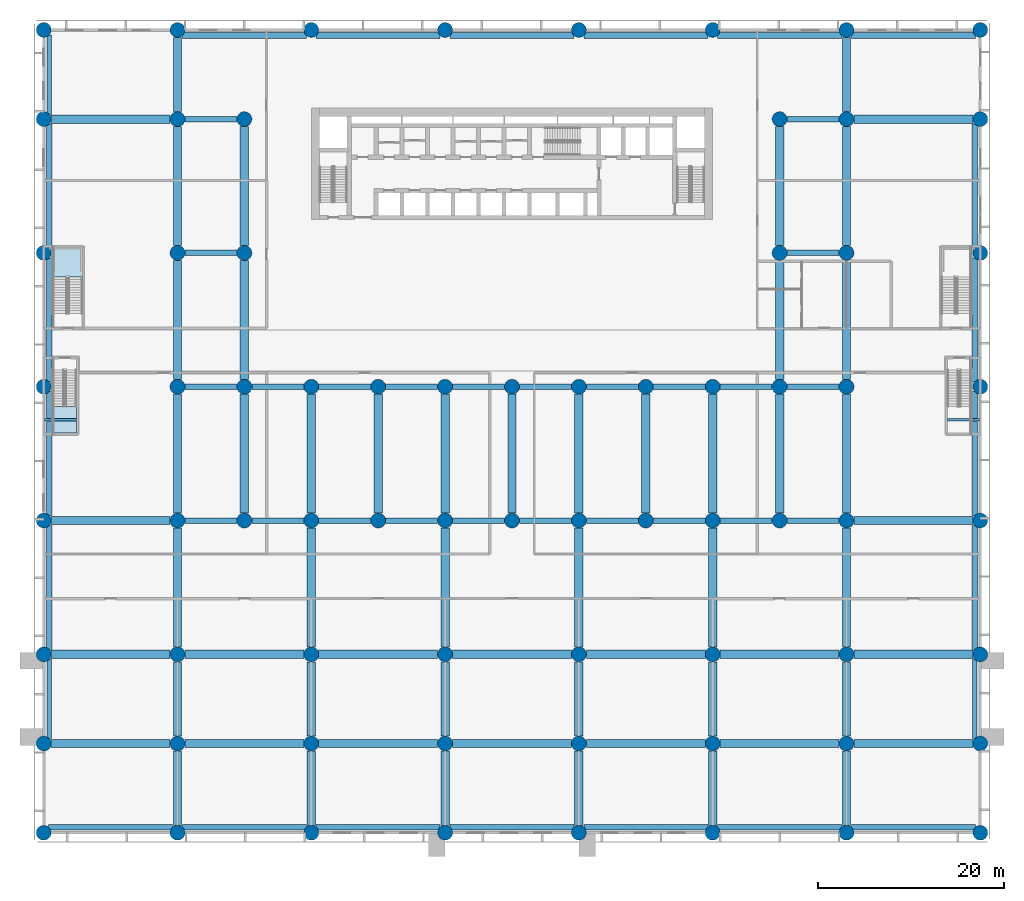
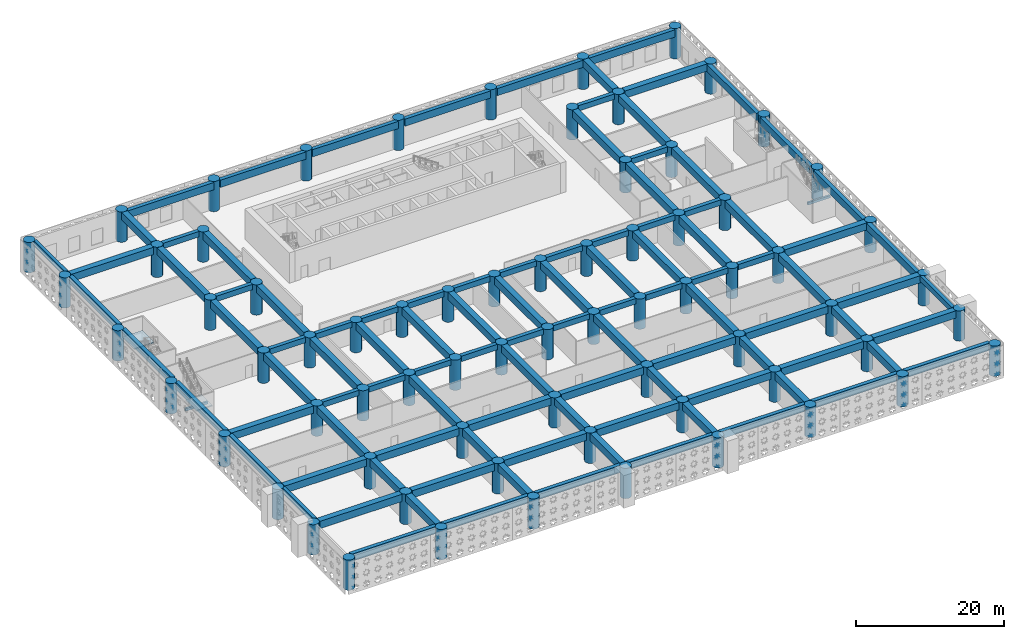
# One storey, part 1 of 30: 107 beams, 70 columns, 2 slabs, 2 elements without a shape of their own.
"""IFC4 building model written with IfcOpenShell, lengths in metres."""

import ifcopenshell
import ifcopenshell.guid

model = None  # the IFC model being written
_history = None  # IfcOwnerHistory: only IFC2X3 demands one
_inside = {}  # id of a spatial element -> (the spatial element, [elements in it])
_under = {}  # id of a project, library or spatial element -> (it, [spatial elements below it])
_declared = {}  # id of a project -> (the project, [libraries it declares])
_typed = {}  # id of a type object -> (the type object, [elements of that type])
_made_of = {}  # id of a material, layer set ... -> (it, [elements and type objects made of it])


def new_model(schema):
    """Start an empty IFC model of exactly this schema.

    Asked for "IFC4X3", IfcOpenShell would pick the latest addendum, in which some entities
    have other attributes; the version numbers below select the first issue.
    IFC2X3 requires an IfcOwnerHistory on every rooted entity: one is made here for all.
    """
    global model, _history
    if schema == "IFC4X3":
        model = ifcopenshell.file(schema_version=(4, 3, 0, 0))
    else:
        model = ifcopenshell.file(schema=schema)
    _inside.clear()
    _under.clear()
    _declared.clear()
    _typed.clear()
    _made_of.clear()
    _history = None
    if model.schema == "IFC2X3":
        org = make("IfcOrganization", Name="unknown")
        user = make(
            "IfcPersonAndOrganization",
            ThePerson=make("IfcPerson", FamilyName="unknown"),
            TheOrganization=org,
        )
        app = make(
            "IfcApplication",
            ApplicationDeveloper=org,
            Version="unknown",
            ApplicationFullName="unknown",
            ApplicationIdentifier="unknown",
        )
        _history = make(
            "IfcOwnerHistory",
            OwningUser=user,
            OwningApplication=app,
            ChangeAction="ADDED",
            CreationDate=0,
        )
    return model


def make(cls, **values):
    """One entity of the class cls with the attributes given. An attribute that is None is left unset."""
    return model.create_entity(
        cls, **{name: value for name, value in values.items() if value is not None}
    )


def rooted(cls, **values):
    """An entity with a GlobalId (a new one), such as an element, a storey or a relation."""
    return make(cls, GlobalId=ifcopenshell.guid.new(), OwnerHistory=_history, **values)


def si_unit(unit_type, name, prefix=None):
    """IfcSIUnit, for example si_unit("LENGTHUNIT", "METRE", prefix="MILLI")."""
    return make("IfcSIUnit", UnitType=unit_type, Prefix=prefix, Name=name)


def assignment(units):
    """IfcUnitAssignment: the units of a project."""
    return None if units is None else make("IfcUnitAssignment", Units=units)


def point(xyz):
    """IfcCartesianPoint."""
    return None if xyz is None else make("IfcCartesianPoint", Coordinates=xyz)


def direction(xyz):
    """IfcDirection."""
    return None if xyz is None else make("IfcDirection", DirectionRatios=xyz)


def frame(location, z_axis=None, x_axis=None):
    """IfcAxis2Placement3D, a coordinate frame: its origin and axes. An axis left out is left unset."""
    return make(
        "IfcAxis2Placement3D",
        Location=point(location),
        Axis=direction(z_axis),
        RefDirection=direction(x_axis),
    )


def frame_2d(location, x_axis=None):
    """IfcAxis2Placement2D, a coordinate frame in the plane: its origin and x axis."""
    return make(
        "IfcAxis2Placement2D", Location=point(location), RefDirection=direction(x_axis)
    )


def origin():
    """The frame at (0, 0, 0) with its axes left unset."""
    return frame((0.0, 0.0, 0.0))


def origin_2d():
    """The frame at (0, 0) in the plane with its x axis left unset."""
    return frame_2d((0.0, 0.0))


def place(relative_to, where):
    """IfcLocalPlacement: puts the frame where relative to a parent placement (None: the world)."""
    return make(
        "IfcLocalPlacement", PlacementRelTo=relative_to, RelativePlacement=where
    )


def context(
    kind, dimensions, precision=None, world=None, true_north=None, identifier=None
):
    """IfcGeometricRepresentationContext, for example the 3D "Model" context."""
    return make(
        "IfcGeometricRepresentationContext",
        ContextIdentifier=identifier,
        ContextType=kind,
        CoordinateSpaceDimension=dimensions,
        Precision=precision,
        WorldCoordinateSystem=world,
        TrueNorth=true_north,
    )


def subcontext(parent, identifier, kind, view, scale=None):
    """IfcGeometricRepresentationSubContext, for example "Body" below "Model"."""
    return make(
        "IfcGeometricRepresentationSubContext",
        ContextIdentifier=identifier,
        ContextType=kind,
        ParentContext=parent,
        TargetScale=scale,
        TargetView=view,
    )


def project(units=None, contexts=None):
    """IfcProject with its units and contexts."""
    return rooted(
        "IfcProject",
        Name="project",
        RepresentationContexts=contexts,
        UnitsInContext=assignment(units),
    )


def spatial(cls, under=None, at=None, **own):
    """A site, building, storey or space (cls), placed at a placement, below another one or the project."""
    s = rooted(cls, ObjectPlacement=at, **own)
    if under is not None:
        _under.setdefault(under.id(), (under, []))[1].append(s)
    return s


def polyline(points):
    """IfcPolyline through the points."""
    return make("IfcPolyline", Points=[point(p) for p in points])


def profile(cls, at=None, kind="AREA", **sizes):
    """A parametric profile (cls). Its sizes go by their IFC names, for example OverallWidth=200.0."""
    return make(cls, ProfileType=kind, Position=at, **sizes)


def rectangle(**sizes):
    """IfcRectangleProfileDef."""
    return profile("IfcRectangleProfileDef", **sizes)


def circle(**sizes):
    """IfcCircleProfileDef."""
    return profile("IfcCircleProfileDef", **sizes)


def outline(outer, holes=None, kind="AREA"):
    """IfcArbitraryClosedProfileDef: a profile drawn as a closed curve; with holes, ...WithVoids."""
    if holes is None:
        return make("IfcArbitraryClosedProfileDef", ProfileType=kind, OuterCurve=outer)
    return make(
        "IfcArbitraryProfileDefWithVoids",
        ProfileType=kind,
        OuterCurve=outer,
        InnerCurves=holes,
    )


def extrude(swept, where, along, depth):
    """IfcExtrudedAreaSolid: the profile swept, set in the frame where, extruded along a direction by depth."""
    return make(
        "IfcExtrudedAreaSolid",
        SweptArea=swept,
        Position=where,
        ExtrudedDirection=direction(along),
        Depth=depth,
    )


def shape(context_of_items, identifier, shape_type, items):
    """IfcShapeRepresentation: the items that make up one representation, for example the "Body"."""
    return make(
        "IfcShapeRepresentation",
        ContextOfItems=context_of_items,
        RepresentationIdentifier=identifier,
        RepresentationType=shape_type,
        Items=items,
    )


def source(mapping_origin, context_of_items, identifier, shape_type, items):
    """IfcRepresentationMap: a shape defined once, which mapped items show again and again."""
    return make(
        "IfcRepresentationMap",
        MappingOrigin=mapping_origin,
        MappedRepresentation=shape(context_of_items, identifier, shape_type, items),
    )


def transform(
    local_origin,
    x_axis=None,
    y_axis=None,
    z_axis=None,
    scale=None,
    scale2=None,
    scale3=None,
    uniform=True,
):
    """IfcCartesianTransformationOperator3D, or its non-uniform kind. x_axis, y_axis, z_axis: its Axis1, 2, 3."""
    if uniform:
        return make(
            "IfcCartesianTransformationOperator3D",
            Axis1=direction(x_axis),
            Axis2=direction(y_axis),
            LocalOrigin=point(local_origin),
            Scale=scale,
            Axis3=direction(z_axis),
        )
    return make(
        "IfcCartesianTransformationOperator3DnonUniform",
        Axis1=direction(x_axis),
        Axis2=direction(y_axis),
        LocalOrigin=point(local_origin),
        Scale=scale,
        Axis3=direction(z_axis),
        Scale2=scale2,
        Scale3=scale3,
    )


def mapped(mapping_source, mapping_target):
    """IfcMappedItem: shows the shape of a source again, moved by a transform."""
    return make(
        "IfcMappedItem", MappingSource=mapping_source, MappingTarget=mapping_target
    )


def material(Name=None, Category=None):
    """IfcMaterial."""
    return make("IfcMaterial", Name=Name, Category=Category)


def layer(
    of_material, thickness, ventilated=None, Name=None, Category=None, Priority=None
):
    """IfcMaterialLayer: one layer of a wall or slab, of a material (None: an air gap)."""
    return make(
        "IfcMaterialLayer",
        Material=of_material,
        LayerThickness=thickness,
        IsVentilated=ventilated,
        Name=Name,
        Category=Category,
        Priority=Priority,
    )


def layer_set(layers, Name=None):
    """IfcMaterialLayerSet."""
    return make("IfcMaterialLayerSet", MaterialLayers=layers, LayerSetName=Name)


def material_profile(
    of_material, cross_section, Name=None, Category=None, Priority=None
):
    """IfcMaterialProfile: a cross section and its material."""
    return make(
        "IfcMaterialProfile",
        Name=Name,
        Material=of_material,
        Profile=cross_section,
        Priority=Priority,
        Category=Category,
    )


def profile_set(profiles, Name=None, composite=None):
    """IfcMaterialProfileSet."""
    return make(
        "IfcMaterialProfileSet",
        Name=Name,
        MaterialProfiles=profiles,
        CompositeProfile=composite,
    )


def made_of(thing, what):
    """Note that an element or type object is made of a material, layer set ...; save() writes the relation."""
    if what is not None:
        _made_of.setdefault(what.id(), (what, []))[1].append(thing)
    return thing


def type_object(cls, material=None, **own):
    """A type object (cls), such as IfcWallType, which elements share."""
    return made_of(rooted(cls, **own), material)


def element(
    cls,
    number,
    at=None,
    inside=None,
    cuts=None,
    type_object=None,
    material=None,
    context=None,
    identifier="Body",
    shape_type=None,
    held_by="IfcProductDefinitionShape",
    body=None,
    shapes=None,
    **own,
):
    """One element of the class cls, such as IfcWall. Its Tag is "e" and its number.

    at: its placement. inside: the storey or other place that contains it. cuts: it is an
    opening in that element (IfcRelVoidsElement). A single representation is given by context,
    identifier, shape_type and body (its items); several are given by shapes. held_by: the class
    of the entity that holds the representations. save() writes the other relations.
    """
    e = rooted(cls, Tag="e%d" % number, ObjectPlacement=at, **own)
    if body is not None:
        shapes = [shape(context, identifier, shape_type, body)]
    if shapes is not None:
        e.Representation = make(held_by, Representations=shapes)
    if inside is not None:
        _inside.setdefault(inside.id(), (inside, []))[1].append(e)
    if cuts is not None:
        rooted(
            "IfcRelVoidsElement", RelatingBuildingElement=cuts, RelatedOpeningElement=e
        )
    if type_object is not None:
        _typed.setdefault(type_object.id(), (type_object, []))[1].append(e)
    return made_of(e, material)


def aggregate(whole, parts):
    """IfcRelAggregates: a whole, such as a stair, and the parts it consists of."""
    return rooted("IfcRelAggregates", RelatingObject=whole, RelatedObjects=parts)


def save(model, path):
    """Write the relations noted so far, then the file.

    IfcRelAggregates (storeys below a building ...), IfcRelContainedInSpatialStructure (elements
    in a storey), IfcRelDefinesByType, IfcRelAssociatesMaterial and IfcRelDeclares: one each for
    every whole, place, type object, material and project.
    """
    for whole, parts in _under.values():
        aggregate(whole, parts)
    for where, things in _inside.values():
        rooted(
            "IfcRelContainedInSpatialStructure",
            RelatedElements=things,
            RelatingStructure=where,
        )
    for kind, things in _typed.values():
        rooted("IfcRelDefinesByType", RelatedObjects=things, RelatingType=kind)
    for what, things in _made_of.values():
        rooted("IfcRelAssociatesMaterial", RelatedObjects=things, RelatingMaterial=what)
    for by, libraries in _declared.values():
        rooted("IfcRelDeclares", RelatingContext=by, RelatedDefinitions=libraries)
    model.write(path)


model = new_model("IFC4")

# Units and contexts
model_context = context("Model", 3, precision=1e-05, world=origin(), true_north=direction((0.0, 1.0)))
body_context = subcontext(model_context, "Body", "Model", "MODEL_VIEW")
ifc_project = project(units=[si_unit("LENGTHUNIT", "METRE"), si_unit("AREAUNIT", "SQUARE_METRE"), si_unit("VOLUMEUNIT", "CUBIC_METRE"), si_unit("PLANEANGLEUNIT", "RADIAN"), si_unit("MASSUNIT", "GRAM", prefix="KILO")], contexts=[model_context])

# Site, building, storey
site_placement = place(None, origin())
site = spatial("IfcSite", under=ifc_project, at=site_placement, CompositionType="ELEMENT")
building_placement = place(site_placement, origin())
building = spatial("IfcBuilding", under=site, at=building_placement, Name="Saffron Iwan Residences", CompositionType="ELEMENT")
storey_placement = place(building_placement, frame((0.0, 0.0, 7.800048828125)))
storey = spatial("IfcBuildingStorey", under=building, at=storey_placement, Name="L01", CompositionType="ELEMENT", Elevation=7.800048828125)

# Columns
ifc_material_1 = material(Name="Concrete C50/60", Category="concrete")
ifc_material_profile_1 = material_profile(ifc_material_1, circle(Radius=0.800048828125, at=origin_2d()), Name="RC D1600")
ifc_profile_set_1 = profile_set([ifc_material_profile_1], Name="Concrete C50/60")
column_type = type_object("IfcColumnType", Name="COL RC D1600 C50/60 5000 HIGH", PredefinedType="COLUMN", material=ifc_profile_set_1)
shared_shape_1 = source(origin(), body_context, "Body", "SweptSolid", [
    extrude(circle(Radius=0.800048828125, at=origin_2d()), origin(), (0.0, 0.0, 1.0), 5.0),
])
for number, where, z_axis, x_axis, name in (
    (1, (0.0, 0.0, 0.0), (0.0, 0.0, 1.0), (1.0, 0.0, 0.0), "Column C001"),
    (2, (14.39990234375, 0.0, 0.0), (0.0, 0.0, 1.0), (1.0, 0.0, 0.0), "Column C002"),
    (3, (28.800048828125, 0.0, 0.0), (0.0, 0.0, 1.0), (1.0, 0.0, 0.0), "Column C003"),
    (4, (43.199951171875, 0.0, 0.0), (0.0, 0.0, 1.0), (1.0, 0.0, 0.0), "Column C004"),
    (5, (57.60009765625, 0.0, 0.0), (0.0, 0.0, 1.0), (1.0, 0.0, 0.0), "Column C005"),
    (6, (72.0, 0.0, 0.0), (0.0, 0.0, 1.0), (1.0, 0.0, 0.0), "Column C006"),
    (7, (86.39990234375, 0.0, 0.0), (0.0, 0.0, 1.0), (1.0, 0.0, 0.0), "Column C007"),
    (8, (100.800048828125, 0.0, 0.0), (0.0, 0.0, 1.0), (1.0, 0.0, 0.0), "Column C008"),
    (9, (0.0, 9.60009765625, 0.0), (0.0, 0.0, 1.0), (1.0, 0.0, 0.0), "Column C009"),
    (10, (14.39990234375, 9.60009765625, 0.0), (0.0, 0.0, 1.0), (1.0, 0.0, 0.0), "Column C010"),
    (11, (28.800048828125, 9.60009765625, 0.0), (0.0, 0.0, 1.0), (1.0, 0.0, 0.0), "Column C011"),
    (12, (43.199951171875, 9.60009765625, 0.0), (0.0, 0.0, 1.0), (1.0, 0.0, 0.0), "Column C012"),
    (13, (57.60009765625, 9.60009765625, 0.0), (0.0, 0.0, 1.0), (1.0, 0.0, 0.0), "Column C013"),
    (14, (72.0, 9.60009765625, 0.0), (0.0, 0.0, 1.0), (1.0, 0.0, 0.0), "Column C014"),
    (15, (86.39990234375, 9.60009765625, 0.0), (0.0, 0.0, 1.0), (1.0, 0.0, 0.0), "Column C015"),
    (16, (100.800048828125, 9.60009765625, 0.0), (0.0, 0.0, 1.0), (1.0, 0.0, 0.0), "Column C016"),
    (17, (0.0, 19.199951171875, 0.0), (0.0, 0.0, 1.0), (1.0, 0.0, 0.0), "Column C017"),
    (18, (14.39990234375, 19.199951171875, 0.0), (0.0, 0.0, 1.0), (1.0, 0.0, 0.0), "Column C018"),
    (19, (28.800048828125, 19.199951171875, 0.0), (0.0, 0.0, 1.0), (1.0, 0.0, 0.0), "Column C019"),
    (20, (43.199951171875, 19.199951171875, 0.0), (0.0, 0.0, 1.0), (1.0, 0.0, 0.0), "Column C020"),
    (21, (57.60009765625, 19.199951171875, 0.0), (0.0, 0.0, 1.0), (1.0, 0.0, 0.0), "Column C021"),
    (22, (72.0, 19.199951171875, 0.0), (0.0, 0.0, 1.0), (1.0, 0.0, 0.0), "Column C022"),
    (23, (86.39990234375, 19.199951171875, 0.0), (0.0, 0.0, 1.0), (1.0, 0.0, 0.0), "Column C023"),
    (24, (100.800048828125, 19.199951171875, 0.0), (0.0, 0.0, 1.0), (1.0, 0.0, 0.0), "Column C024"),
    (25, (0.0, 33.60009765625, 0.0), (0.0, 0.0, 1.0), (1.0, 0.0, 0.0), "Column C025"),
    (26, (14.39990234375, 33.60009765625, 0.0), (0.0, 0.0, 1.0), (1.0, 0.0, 0.0), "Column C026"),
    (27, (21.60009765625, 33.60009765625, 0.0), (0.0, 0.0, 1.0), (1.0, 0.0, 0.0), "Column C027"),
    (28, (28.800048828125, 33.60009765625, 0.0), (0.0, 0.0, 1.0), (1.0, 0.0, 0.0), "Column C028"),
    (29, (36.0, 33.60009765625, 0.0), (0.0, 0.0, 1.0), (1.0, 0.0, 0.0), "Column C029"),
    (30, (43.199951171875, 33.60009765625, 0.0), (0.0, 0.0, 1.0), (1.0, 0.0, 0.0), "Column C030"),
    (31, (50.39990234375, 33.60009765625, 0.0), (0.0, 0.0, 1.0), (1.0, 0.0, 0.0), "Column C031"),
    (32, (57.60009765625, 33.60009765625, 0.0), (0.0, 0.0, 1.0), (1.0, 0.0, 0.0), "Column C032"),
    (33, (64.800048828125, 33.60009765625, 0.0), (0.0, 0.0, 1.0), (1.0, 0.0, 0.0), "Column C033"),
    (34, (72.0, 33.60009765625, 0.0), (0.0, 0.0, 1.0), (1.0, 0.0, 0.0), "Column C034"),
    (35, (79.199951171875, 33.60009765625, 0.0), (0.0, 0.0, 1.0), (1.0, 0.0, 0.0), "Column C035"),
    (36, (86.39990234375, 33.60009765625, 0.0), (0.0, 0.0, 1.0), (1.0, 0.0, 0.0), "Column C036"),
    (37, (100.800048828125, 33.60009765625, 0.0), (0.0, 0.0, 1.0), (1.0, 0.0, 0.0), "Column C037"),
    (38, (0.0, 48.0, 0.0), (0.0, 0.0, 1.0), (1.0, 0.0, 0.0), "Column C059"),
    (39, (14.39990234375, 48.0, 0.0), (0.0, 0.0, 1.0), (1.0, 0.0, 0.0), "Column C060"),
    (40, (21.60009765625, 48.0, 0.0), (0.0, 0.0, 1.0), (1.0, 0.0, 0.0), "Column C063"),
    (41, (28.800048828125, 48.0, 0.0), (0.0, 0.0, 1.0), (1.0, 0.0, 0.0), "Column C064"),
    (42, (36.0, 48.0, 0.0), (0.0, 0.0, 1.0), (1.0, 0.0, 0.0), "Column C065"),
    (43, (43.199951171875, 48.0, 0.0), (0.0, 0.0, 1.0), (1.0, 0.0, 0.0), "Column C066"),
    (44, (50.39990234375, 48.0, 0.0), (0.0, 0.0, 1.0), (1.0, 0.0, 0.0), "Column C067"),
    (45, (57.60009765625, 48.0, 0.0), (0.0, 0.0, 1.0), (1.0, 0.0, 0.0), "Column C068"),
    (46, (64.800048828125, 48.0, 0.0), (0.0, 0.0, 1.0), (1.0, 0.0, 0.0), "Column C069"),
    (47, (72.0, 48.0, 0.0), (0.0, 0.0, 1.0), (1.0, 0.0, 0.0), "Column C071"),
    (48, (79.199951171875, 48.0, 0.0), (0.0, 0.0, 1.0), (1.0, 0.0, 0.0), "Column C072"),
    (49, (86.39990234375, 48.0, 0.0), (0.0, 0.0, 1.0), (1.0, 0.0, 0.0), "Column C075"),
    (50, (100.800048828125, 48.0, 0.0), (0.0, 0.0, 1.0), (1.0, 0.0, 0.0), "Column C076"),
    (51, (0.0, 62.39990234375, 0.0), (0.0, 0.0, 1.0), (1.0, 0.0, 0.0), "Column C087"),
    (52, (14.39990234375, 62.39990234375, 0.0), (0.0, 0.0, 1.0), (1.0, 0.0, 0.0), "Column C088"),
    (53, (21.60009765625, 62.39990234375, 0.0), (0.0, 0.0, 1.0), (1.0, 0.0, 0.0), "Column C091"),
    (54, (79.199951171875, 62.39990234375, 0.0), (0.0, 0.0, 1.0), (1.0, 0.0, 0.0), "Column C092"),
    (55, (86.39990234375, 62.39990234375, 0.0), (0.0, 0.0, 1.0), (1.0, 0.0, 0.0), "Column C095"),
    (56, (100.800048828125, 62.39990234375, 0.0), (0.0, 0.0, 1.0), (1.0, 0.0, 0.0), "Column C096"),
    (57, (0.0, 76.800048828125, 0.0), (0.0, 0.0, 1.0), (1.0, 0.0, 0.0), "Column C103"),
    (58, (14.39990234375, 76.800048828125, 0.0), (0.0, 0.0, 1.0), (1.0, 0.0, 0.0), "Column C104"),
    (59, (21.60009765625, 76.800048828125, 0.0), (0.0, 0.0, 1.0), (1.0, 0.0, 0.0), "Column C107"),
    (60, (79.199951171875, 76.800048828125, 0.0), (0.0, 0.0, 1.0), (1.0, 0.0, 0.0), "Column C108"),
    (61, (86.39990234375, 76.800048828125, 0.0), (0.0, 0.0, 1.0), (1.0, 0.0, 0.0), "Column C111"),
    (62, (100.800048828125, 76.800048828125, 0.0), (0.0, 0.0, 1.0), (1.0, 0.0, 0.0), "Column C112"),
    (63, (0.0, 86.39990234375, 0.0), (0.0, 0.0, 1.0), (1.0, 0.0, 0.0), "Column C124"),
    (64, (14.39990234375, 86.39990234375, 0.0), (0.0, 0.0, 1.0), (1.0, 0.0, 0.0), "Column C125"),
    (65, (28.800048828125, 86.39990234375, 0.0), (0.0, 0.0, 1.0), (1.0, 0.0, 0.0), "Column C126"),
    (66, (43.199951171875, 86.39990234375, 0.0), (0.0, 0.0, 1.0), (1.0, 0.0, 0.0), "Column C127"),
    (67, (57.60009765625, 86.39990234375, 0.0), (0.0, 0.0, 1.0), (1.0, 0.0, 0.0), "Column C128"),
    (68, (72.0, 86.39990234375, 0.0), (0.0, 0.0, 1.0), (1.0, 0.0, 0.0), "Column C129"),
    (69, (86.39990234375, 86.39990234375, 0.0), (0.0, 0.0, 1.0), (1.0, 0.0, 0.0), "Column C130"),
    (70, (100.800048828125, 86.39990234375, 0.0), (0.0, 0.0, 1.0), (1.0, 0.0, 0.0), "Column C131"),
):
    element("IfcColumn", number, at=place(storey_placement, frame(where, z_axis=z_axis, x_axis=x_axis)), inside=storey, type_object=column_type, Name=name, PredefinedType="COLUMN", context=body_context, shape_type="MappedRepresentation", body=[
        mapped(shared_shape_1, transform((0.0, 0.0, 0.0))),
    ])

# Beams
ifc_material_profile_2 = material_profile(ifc_material_1, rectangle(XDim=0.5, YDim=0.89990234375, at=origin_2d()), Name="RC 500x900")
ifc_profile_set_2 = profile_set([ifc_material_profile_2], Name="Concrete C50/60")
beam_type_1 = type_object("IfcBeamType", Name="SPANDREL BEAM RC 500x900 C50/60 TOP 5000", PredefinedType="SPANDREL", material=ifc_profile_set_2)
shared_shape_2 = source(origin(), body_context, "Body", "SweptSolid", [
    extrude(rectangle(XDim=0.5, YDim=0.89990234375, at=origin_2d()), origin(), (0.0, 0.0, 1.0), 8.55224609375),
])
for number, where, z_axis, x_axis, name in (
    (71, (0.60009765625, 10.123779296875, 4.550048828125), (0.0, 1.0, 0.0), (-1.0, 0.0, 0.0), "Spandrel beam"),
    (72, (100.199951171875, 18.676025390625, 4.550048828125), (0.0, -1.0, 0.0), (1.0, 0.0, 0.0), "Spandrel beam"),
    (73, (0.60009765625, 77.323974609375, 4.550048828125), (0.0, 1.0, 0.0), (-1.0, 0.0, 0.0), "Spandrel beam"),
):
    element("IfcBeam", number, at=place(storey_placement, frame(where, z_axis=z_axis, x_axis=x_axis)), inside=storey, type_object=beam_type_1, Name=name, PredefinedType="SPANDREL", context=body_context, shape_type="MappedRepresentation", body=[
        mapped(shared_shape_2, transform((0.0, 0.0, 0.0))),
    ])
ifc_material_profile_3 = material_profile(ifc_material_1, rectangle(XDim=0.60009765625, YDim=1.199951171875, at=origin_2d()), Name="RC 600x1200")
ifc_profile_set_3 = profile_set([ifc_material_profile_3], Name="Concrete C50/60")
beam_type_2 = type_object("IfcBeamType", Name="LINTEL BEAM RC 600x1200 C50/60 TOP 5000", PredefinedType="LINTEL", material=ifc_profile_set_3)
shared_shape_3 = source(origin(), body_context, "Body", "SweptSolid", [
    extrude(rectangle(XDim=0.60009765625, YDim=1.199951171875, at=origin_2d()), origin(), (0.0, 0.0, 1.0), 13.352294921875),
])
for number, where, z_axis, x_axis, name in (
    (74, (13.876220703125, 0.60009765625, 4.39990234375), (-1.0, 0.0, 0.0), (0.0, -1.0, 0.0), "Lintel beam over the iwan"),
    (75, (28.276123046875, 0.60009765625, 4.39990234375), (-1.0, 0.0, 0.0), (0.0, -1.0, 0.0), "Lintel beam over the iwan"),
    (76, (57.076171875, 0.60009765625, 4.39990234375), (-1.0, 0.0, 0.0), (0.0, -1.0, 0.0), "Lintel beam over the iwan"),
    (77, (71.47607421875, 0.60009765625, 4.39990234375), (-1.0, 0.0, 0.0), (0.0, -1.0, 0.0), "Lintel beam over the iwan"),
    (78, (85.876220703125, 0.60009765625, 4.39990234375), (-1.0, 0.0, 0.0), (0.0, -1.0, 0.0), "Lintel beam over the iwan"),
    (79, (100.276123046875, 0.60009765625, 4.39990234375), (-1.0, 0.0, 0.0), (0.0, -1.0, 0.0), "Lintel beam over the iwan"),
    (80, (0.60009765625, 19.723876953125, 4.39990234375), (0.0, 1.0, 0.0), (-1.0, 0.0, 0.0), "Lintel beam over the iwan"),
    (81, (100.199951171875, 33.076171875, 4.39990234375), (0.0, -1.0, 0.0), (1.0, 0.0, 0.0), "Lintel beam over the iwan"),
    (82, (0.60009765625, 34.123779296875, 4.39990234375), (0.0, 1.0, 0.0), (-1.0, 0.0, 0.0), "Lintel beam over the iwan"),
    (83, (100.199951171875, 47.47607421875, 4.39990234375), (0.0, -1.0, 0.0), (1.0, 0.0, 0.0), "Lintel beam over the iwan"),
    (84, (0.60009765625, 48.52392578125, 4.39990234375), (0.0, 1.0, 0.0), (-1.0, 0.0, 0.0), "Lintel beam over the iwan"),
    (85, (100.199951171875, 61.876220703125, 4.39990234375), (0.0, -1.0, 0.0), (1.0, 0.0, 0.0), "Lintel beam over the iwan"),
    (86, (0.60009765625, 62.923828125, 4.39990234375), (0.0, 1.0, 0.0), (-1.0, 0.0, 0.0), "Lintel beam over the iwan"),
    (87, (100.199951171875, 76.276123046875, 4.39990234375), (0.0, -1.0, 0.0), (1.0, 0.0, 0.0), "Lintel beam over the iwan"),
    (88, (14.923828125, 85.800048828125, 4.39990234375), (1.0, 0.0, 0.0), (0.0, 1.0, 0.0), "Lintel beam over the iwan"),
    (89, (43.723876953125, 85.800048828125, 4.39990234375), (1.0, 0.0, 0.0), (0.0, 1.0, 0.0), "Lintel beam over the iwan"),
    (90, (58.123779296875, 85.800048828125, 4.39990234375), (1.0, 0.0, 0.0), (0.0, 1.0, 0.0), "Lintel beam over the iwan"),
    (91, (72.52392578125, 85.800048828125, 4.39990234375), (1.0, 0.0, 0.0), (0.0, 1.0, 0.0), "Lintel beam over the iwan"),
    (92, (86.923828125, 85.800048828125, 4.39990234375), (1.0, 0.0, 0.0), (0.0, 1.0, 0.0), "Lintel beam over the iwan"),
):
    element("IfcBeam", number, at=place(storey_placement, frame(where, z_axis=z_axis, x_axis=x_axis)), inside=storey, type_object=beam_type_2, Name=name, PredefinedType="LINTEL", context=body_context, shape_type="MappedRepresentation", body=[
        mapped(shared_shape_3, transform((0.0, 0.0, 0.0))),
    ])
shared_shape_4 = source(origin(), body_context, "Body", "SweptSolid", [
    extrude(rectangle(XDim=0.60009765625, YDim=1.199951171875, at=origin_2d()), origin(), (0.0, 0.0, 1.0), 13.35205078125),
])
for number, where, z_axis, x_axis, name in (
    (93, (42.676025390625, 0.60009765625, 4.39990234375), (-1.0, 0.0, 0.0), (0.0, -1.0, 0.0), "Lintel beam over the iwan"),
    (94, (29.323974609375, 85.800048828125, 4.39990234375), (1.0, 0.0, 0.0), (0.0, 1.0, 0.0), "Lintel beam over the iwan"),
):
    element("IfcBeam", number, at=place(storey_placement, frame(where, z_axis=z_axis, x_axis=x_axis)), inside=storey, type_object=beam_type_2, Name=name, PredefinedType="LINTEL", context=body_context, shape_type="MappedRepresentation", body=[
        mapped(shared_shape_4, transform((0.0, 0.0, 0.0))),
    ])
ifc_material_profile_4 = material_profile(ifc_material_1, rectangle(XDim=0.89990234375, YDim=1.199951171875, at=origin_2d()), Name="RC 900x1200")
ifc_profile_set_4 = profile_set([ifc_material_profile_4], Name="Concrete C50/60")
beam_type_3 = type_object("IfcBeamType", Name="BEAM RC 900x1200 C50/60 TOP 5000", PredefinedType="BEAM", material=ifc_profile_set_4)
shared_shape_5 = source(origin(), body_context, "Body", "SweptSolid", [
    extrude(rectangle(XDim=0.89990234375, YDim=1.199951171875, at=origin_2d()), origin(), (0.0, 0.0, 1.0), 8.0),
])
for number, where, z_axis, x_axis, name in (
    (95, (14.39990234375, 0.800048828125, 4.39990234375), (0.0, 1.0, 0.0), (-1.0, 0.0, 0.0), "Floor beam"),
    (96, (28.800048828125, 0.800048828125, 4.39990234375), (0.0, 1.0, 0.0), (-1.0, 0.0, 0.0), "Floor beam"),
    (97, (43.199951171875, 0.800048828125, 4.39990234375), (0.0, 1.0, 0.0), (-1.0, 0.0, 0.0), "Floor beam"),
    (98, (57.60009765625, 0.800048828125, 4.39990234375), (0.0, 1.0, 0.0), (-1.0, 0.0, 0.0), "Floor beam"),
    (99, (72.0, 0.800048828125, 4.39990234375), (0.0, 1.0, 0.0), (-1.0, 0.0, 0.0), "Floor beam"),
    (100, (86.39990234375, 0.800048828125, 4.39990234375), (0.0, 1.0, 0.0), (-1.0, 0.0, 0.0), "Floor beam"),
    (101, (14.39990234375, 10.39990234375, 4.39990234375), (0.0, 1.0, 0.0), (-1.0, 0.0, 0.0), "Floor beam"),
    (102, (28.800048828125, 10.39990234375, 4.39990234375), (0.0, 1.0, 0.0), (-1.0, 0.0, 0.0), "Floor beam"),
    (103, (43.199951171875, 10.39990234375, 4.39990234375), (0.0, 1.0, 0.0), (-1.0, 0.0, 0.0), "Floor beam"),
    (104, (57.60009765625, 10.39990234375, 4.39990234375), (0.0, 1.0, 0.0), (-1.0, 0.0, 0.0), "Floor beam"),
    (105, (72.0, 10.39990234375, 4.39990234375), (0.0, 1.0, 0.0), (-1.0, 0.0, 0.0), "Floor beam"),
    (106, (86.39990234375, 10.39990234375, 4.39990234375), (0.0, 1.0, 0.0), (-1.0, 0.0, 0.0), "Floor beam"),
    (107, (14.39990234375, 77.60009765625, 4.39990234375), (0.0, 1.0, 0.0), (-1.0, 0.0, 0.0), "Floor beam"),
    (108, (86.39990234375, 77.60009765625, 4.39990234375), (0.0, 1.0, 0.0), (-1.0, 0.0, 0.0), "Floor beam"),
):
    element("IfcBeam", number, at=place(storey_placement, frame(where, z_axis=z_axis, x_axis=x_axis)), inside=storey, type_object=beam_type_3, Name=name, PredefinedType="BEAM", context=body_context, shape_type="MappedRepresentation", body=[
        mapped(shared_shape_5, transform((0.0, 0.0, 0.0))),
    ])
shared_shape_6 = source(origin(), body_context, "Body", "SweptSolid", [
    extrude(rectangle(XDim=0.89990234375, YDim=1.199951171875, at=origin_2d()), origin(), (0.0, 0.0, 1.0), 12.800048828125),
])
for number, where, z_axis, x_axis, name in (
    (109, (0.800048828125, 9.60009765625, 4.39990234375), (1.0, 0.0, 0.0), (0.0, 1.0, 0.0), "Floor beam"),
    (110, (15.199951171875, 9.60009765625, 4.39990234375), (1.0, 0.0, 0.0), (0.0, 1.0, 0.0), "Floor beam"),
    (111, (44.0, 9.60009765625, 4.39990234375), (1.0, 0.0, 0.0), (0.0, 1.0, 0.0), "Floor beam"),
    (112, (58.39990234375, 9.60009765625, 4.39990234375), (1.0, 0.0, 0.0), (0.0, 1.0, 0.0), "Floor beam"),
    (113, (72.800048828125, 9.60009765625, 4.39990234375), (1.0, 0.0, 0.0), (0.0, 1.0, 0.0), "Floor beam"),
    (114, (87.199951171875, 9.60009765625, 4.39990234375), (1.0, 0.0, 0.0), (0.0, 1.0, 0.0), "Floor beam"),
    (115, (0.800048828125, 19.199951171875, 4.39990234375), (1.0, 0.0, 0.0), (0.0, 1.0, 0.0), "Floor beam"),
    (116, (15.199951171875, 19.199951171875, 4.39990234375), (1.0, 0.0, 0.0), (0.0, 1.0, 0.0), "Floor beam"),
    (117, (44.0, 19.199951171875, 4.39990234375), (1.0, 0.0, 0.0), (0.0, 1.0, 0.0), "Floor beam"),
    (118, (58.39990234375, 19.199951171875, 4.39990234375), (1.0, 0.0, 0.0), (0.0, 1.0, 0.0), "Floor beam"),
    (119, (72.800048828125, 19.199951171875, 4.39990234375), (1.0, 0.0, 0.0), (0.0, 1.0, 0.0), "Floor beam"),
    (120, (87.199951171875, 19.199951171875, 4.39990234375), (1.0, 0.0, 0.0), (0.0, 1.0, 0.0), "Floor beam"),
    (121, (14.39990234375, 20.0, 4.39990234375), (0.0, 1.0, 0.0), (-1.0, 0.0, 0.0), "Floor beam"),
    (122, (28.800048828125, 20.0, 4.39990234375), (0.0, 1.0, 0.0), (-1.0, 0.0, 0.0), "Floor beam"),
    (123, (43.199951171875, 20.0, 4.39990234375), (0.0, 1.0, 0.0), (-1.0, 0.0, 0.0), "Floor beam"),
    (124, (57.60009765625, 20.0, 4.39990234375), (0.0, 1.0, 0.0), (-1.0, 0.0, 0.0), "Floor beam"),
    (125, (72.0, 20.0, 4.39990234375), (0.0, 1.0, 0.0), (-1.0, 0.0, 0.0), "Floor beam"),
    (126, (86.39990234375, 20.0, 4.39990234375), (0.0, 1.0, 0.0), (-1.0, 0.0, 0.0), "Floor beam"),
    (127, (0.800048828125, 33.60009765625, 4.39990234375), (1.0, 0.0, 0.0), (0.0, 1.0, 0.0), "Floor beam"),
    (128, (87.199951171875, 33.60009765625, 4.39990234375), (1.0, 0.0, 0.0), (0.0, 1.0, 0.0), "Floor beam"),
    (129, (14.39990234375, 34.39990234375, 4.39990234375), (0.0, 1.0, 0.0), (-1.0, 0.0, 0.0), "Floor beam"),
    (130, (21.60009765625, 34.39990234375, 4.39990234375), (0.0, 1.0, 0.0), (-1.0, 0.0, 0.0), "Floor beam"),
    (131, (28.800048828125, 34.39990234375, 4.39990234375), (0.0, 1.0, 0.0), (-1.0, 0.0, 0.0), "Floor beam"),
    (132, (36.0, 34.39990234375, 4.39990234375), (0.0, 1.0, 0.0), (-1.0, 0.0, 0.0), "Floor beam"),
    (133, (43.199951171875, 34.39990234375, 4.39990234375), (0.0, 1.0, 0.0), (-1.0, 0.0, 0.0), "Floor beam"),
    (134, (50.39990234375, 34.39990234375, 4.39990234375), (0.0, 1.0, 0.0), (-1.0, 0.0, 0.0), "Floor beam"),
    (135, (57.60009765625, 34.39990234375, 4.39990234375), (0.0, 1.0, 0.0), (-1.0, 0.0, 0.0), "Floor beam"),
    (136, (64.800048828125, 34.39990234375, 4.39990234375), (0.0, 1.0, 0.0), (-1.0, 0.0, 0.0), "Floor beam"),
    (137, (72.0, 34.39990234375, 4.39990234375), (0.0, 1.0, 0.0), (-1.0, 0.0, 0.0), "Floor beam"),
    (138, (79.199951171875, 34.39990234375, 4.39990234375), (0.0, 1.0, 0.0), (-1.0, 0.0, 0.0), "Floor beam"),
    (139, (86.39990234375, 34.39990234375, 4.39990234375), (0.0, 1.0, 0.0), (-1.0, 0.0, 0.0), "Floor beam"),
    (140, (14.39990234375, 48.800048828125, 4.39990234375), (0.0, 1.0, 0.0), (-1.0, 0.0, 0.0), "Floor beam"),
    (141, (21.60009765625, 48.800048828125, 4.39990234375), (0.0, 1.0, 0.0), (-1.0, 0.0, 0.0), "Floor beam"),
    (142, (79.199951171875, 48.800048828125, 4.39990234375), (0.0, 1.0, 0.0), (-1.0, 0.0, 0.0), "Floor beam"),
    (143, (86.39990234375, 48.800048828125, 4.39990234375), (0.0, 1.0, 0.0), (-1.0, 0.0, 0.0), "Floor beam"),
    (144, (14.39990234375, 63.199951171875, 4.39990234375), (0.0, 1.0, 0.0), (-1.0, 0.0, 0.0), "Floor beam"),
    (145, (21.60009765625, 63.199951171875, 4.39990234375), (0.0, 1.0, 0.0), (-1.0, 0.0, 0.0), "Floor beam"),
    (146, (79.199951171875, 63.199951171875, 4.39990234375), (0.0, 1.0, 0.0), (-1.0, 0.0, 0.0), "Floor beam"),
    (147, (86.39990234375, 63.199951171875, 4.39990234375), (0.0, 1.0, 0.0), (-1.0, 0.0, 0.0), "Floor beam"),
    (148, (0.800048828125, 76.800048828125, 4.39990234375), (1.0, 0.0, 0.0), (0.0, 1.0, 0.0), "Floor beam"),
    (149, (87.199951171875, 76.800048828125, 4.39990234375), (1.0, 0.0, 0.0), (0.0, 1.0, 0.0), "Floor beam"),
):
    element("IfcBeam", number, at=place(storey_placement, frame(where, z_axis=z_axis, x_axis=x_axis)), inside=storey, type_object=beam_type_3, Name=name, PredefinedType="BEAM", context=body_context, shape_type="MappedRepresentation", body=[
        mapped(shared_shape_6, transform((0.0, 0.0, 0.0))),
    ])
shared_shape_7 = source(origin(), body_context, "Body", "SweptSolid", [
    extrude(rectangle(XDim=0.89990234375, YDim=1.199951171875, at=origin_2d()), origin(), (0.0, 0.0, 1.0), 12.7998046875),
])
for number, where, z_axis, x_axis, name in (
    (150, (29.60009765625, 9.60009765625, 4.39990234375), (1.0, 0.0, 0.0), (0.0, 1.0, 0.0), "Floor beam"),
    (151, (29.60009765625, 19.199951171875, 4.39990234375), (1.0, 0.0, 0.0), (0.0, 1.0, 0.0), "Floor beam"),
):
    element("IfcBeam", number, at=place(storey_placement, frame(where, z_axis=z_axis, x_axis=x_axis)), inside=storey, type_object=beam_type_3, Name=name, PredefinedType="BEAM", context=body_context, shape_type="MappedRepresentation", body=[
        mapped(shared_shape_7, transform((0.0, 0.0, 0.0))),
    ])
ifc_material_profile_5 = material_profile(ifc_material_1, rectangle(XDim=0.60009765625, YDim=0.89990234375, at=origin_2d()), Name="RC 600x900")
ifc_profile_set_5 = profile_set([ifc_material_profile_5], Name="Concrete C50/60")
beam_type_4 = type_object("IfcBeamType", Name="BEAM RC 600x900 C50/60 TOP 5000", PredefinedType="BEAM", material=ifc_profile_set_5)
shared_shape_8 = source(origin(), body_context, "Body", "SweptSolid", [
    extrude(rectangle(XDim=0.60009765625, YDim=0.89990234375, at=origin_2d()), origin(), (0.0, 0.0, 1.0), 5.60009765625),
])
for number, where, z_axis, x_axis, name in (
    (152, (15.199951171875, 33.60009765625, 4.550048828125), (1.0, 0.0, 0.0), (0.0, 1.0, 0.0), "Floor beam"),
    (153, (22.39990234375, 33.60009765625, 4.550048828125), (1.0, 0.0, 0.0), (0.0, 1.0, 0.0), "Floor beam"),
    (154, (44.0, 33.60009765625, 4.550048828125), (1.0, 0.0, 0.0), (0.0, 1.0, 0.0), "Floor beam"),
    (155, (51.199951171875, 33.60009765625, 4.550048828125), (1.0, 0.0, 0.0), (0.0, 1.0, 0.0), "Floor beam"),
    (156, (58.39990234375, 33.60009765625, 4.550048828125), (1.0, 0.0, 0.0), (0.0, 1.0, 0.0), "Floor beam"),
    (157, (80.0, 33.60009765625, 4.550048828125), (1.0, 0.0, 0.0), (0.0, 1.0, 0.0), "Floor beam"),
    (158, (15.199951171875, 48.0, 4.550048828125), (1.0, 0.0, 0.0), (0.0, 1.0, 0.0), "Floor beam"),
    (159, (22.39990234375, 48.0, 4.550048828125), (1.0, 0.0, 0.0), (0.0, 1.0, 0.0), "Floor beam"),
    (160, (44.0, 48.0, 4.550048828125), (1.0, 0.0, 0.0), (0.0, 1.0, 0.0), "Floor beam"),
    (161, (51.199951171875, 48.0, 4.550048828125), (1.0, 0.0, 0.0), (0.0, 1.0, 0.0), "Floor beam"),
    (162, (58.39990234375, 48.0, 4.550048828125), (1.0, 0.0, 0.0), (0.0, 1.0, 0.0), "Floor beam"),
    (163, (80.0, 48.0, 4.550048828125), (1.0, 0.0, 0.0), (0.0, 1.0, 0.0), "Floor beam"),
    (164, (15.199951171875, 62.39990234375, 4.550048828125), (1.0, 0.0, 0.0), (0.0, 1.0, 0.0), "Floor beam"),
    (165, (80.0, 62.39990234375, 4.550048828125), (1.0, 0.0, 0.0), (0.0, 1.0, 0.0), "Floor beam"),
    (166, (15.199951171875, 76.800048828125, 4.550048828125), (1.0, 0.0, 0.0), (0.0, 1.0, 0.0), "Floor beam"),
    (167, (80.0, 76.800048828125, 4.550048828125), (1.0, 0.0, 0.0), (0.0, 1.0, 0.0), "Floor beam"),
):
    element("IfcBeam", number, at=place(storey_placement, frame(where, z_axis=z_axis, x_axis=x_axis)), inside=storey, type_object=beam_type_4, Name=name, PredefinedType="BEAM", context=body_context, shape_type="MappedRepresentation", body=[
        mapped(shared_shape_8, transform((0.0, 0.0, 0.0))),
    ])
shared_shape_9 = source(origin(), body_context, "Body", "SweptSolid", [
    extrude(rectangle(XDim=0.60009765625, YDim=0.89990234375, at=origin_2d()), origin(), (0.0, 0.0, 1.0), 5.599853515625),
])
for number, where, z_axis, x_axis, name in (
    (168, (29.60009765625, 33.60009765625, 4.550048828125), (1.0, 0.0, 0.0), (0.0, 1.0, 0.0), "Floor beam"),
    (169, (36.800048828125, 33.60009765625, 4.550048828125), (1.0, 0.0, 0.0), (0.0, 1.0, 0.0), "Floor beam"),
    (170, (65.60009765625, 33.60009765625, 4.550048828125), (1.0, 0.0, 0.0), (0.0, 1.0, 0.0), "Floor beam"),
    (171, (72.800048828125, 33.60009765625, 4.550048828125), (1.0, 0.0, 0.0), (0.0, 1.0, 0.0), "Floor beam"),
    (172, (29.60009765625, 48.0, 4.550048828125), (1.0, 0.0, 0.0), (0.0, 1.0, 0.0), "Floor beam"),
    (173, (36.800048828125, 48.0, 4.550048828125), (1.0, 0.0, 0.0), (0.0, 1.0, 0.0), "Floor beam"),
    (174, (65.60009765625, 48.0, 4.550048828125), (1.0, 0.0, 0.0), (0.0, 1.0, 0.0), "Floor beam"),
    (175, (72.800048828125, 48.0, 4.550048828125), (1.0, 0.0, 0.0), (0.0, 1.0, 0.0), "Floor beam"),
):
    element("IfcBeam", number, at=place(storey_placement, frame(where, z_axis=z_axis, x_axis=x_axis)), inside=storey, type_object=beam_type_4, Name=name, PredefinedType="BEAM", context=body_context, shape_type="MappedRepresentation", body=[
        mapped(shared_shape_9, transform((0.0, 0.0, 0.0))),
    ])
ifc_material_2 = material(Name="Concrete C40/50", Category="concrete")
ifc_material_profile_6 = material_profile(ifc_material_2, rectangle(XDim=0.300048828125, YDim=0.39990234375, at=origin_2d()), Name="Landing beam RC 300x400 C40/50")
ifc_profile_set_6 = profile_set([ifc_material_profile_6], Name="Concrete C40/50")
beam_type_5 = type_object("IfcBeamType", Name="Landing beam RC 300x400 C40/50", PredefinedType="BEAM", material=ifc_profile_set_6)
shared_shape_10 = source(origin(), body_context, "Body", "SweptSolid", [
    extrude(rectangle(XDim=0.300048828125, YDim=0.39990234375, at=origin_2d()), origin(), (0.0, 0.0, 1.0), 3.449951171875),
])
for number, where, z_axis, x_axis, name in (
    (176, (0.10009765625, 44.43994140625, 2.300048828125), (1.0, 0.0, 0.0), (0.0, 1.0, 0.0), "PS1 landing beam"),
    (177, (97.25, 44.43994140625, 2.300048828125), (1.0, 0.0, 0.0), (0.0, 1.0, 0.0), "PS2 landing beam"),
):
    element("IfcBeam", number, at=place(storey_placement, frame(where, z_axis=z_axis, x_axis=x_axis)), inside=storey, type_object=beam_type_5, Name=name, PredefinedType="BEAM", context=body_context, shape_type="MappedRepresentation", body=[
        mapped(shared_shape_10, transform((0.0, 0.0, 0.0))),
    ])

# Stair, slab
stair_type = type_object("IfcStairType", Name="Podium stair, reinforced concrete", PredefinedType="HALF_TURN_STAIR", material=ifc_material_2)
stair_1_placement = place(storey_placement, origin())
stair_1 = element("IfcStair", 178, at=stair_1_placement, inside=storey, type_object=stair_type, Name="L01 Podium Stair 1", PredefinedType="HALF_TURN_STAIR")
ifc_layer = layer(ifc_material_2, 0.199951171875)
ifc_layer_set = layer_set([ifc_layer], Name="Concrete C40/50")
slab_type = type_object("IfcSlabType", Name="Podium stair landing, reinforced concrete", PredefinedType="LANDING", material=ifc_layer_set)
slab_1_placement = place(storey_placement, frame((0.0, 0.0, 2.499755859375)))
slab_1 = element("IfcSlab", 179, at=slab_1_placement, type_object=slab_type, Name="PS1 landing 1", PredefinedType="LANDING", context=body_context, shape_type="SweptSolid", body=[
    extrude(outline(polyline([(1.0, 45.8798828125), (1.0, 43.0), (3.550048828125, 43.0), (3.550048828125, 45.8798828125), (1.0, 45.8798828125)])), origin(), (0.0, 0.0, 1.0), 0.2001953125),
])
aggregate(stair_1, [slab_1])

stair_2_placement = place(storey_placement, origin())
stair_2 = element("IfcStair", 180, at=stair_2_placement, inside=storey, type_object=stair_type, Name="L01 Podium Stair 3", PredefinedType="HALF_TURN_STAIR")
slab_2_placement = place(storey_placement, frame((0.0, 0.0, 2.499755859375)))
slab_2 = element("IfcSlab", 181, at=slab_2_placement, type_object=slab_type, Name="PS3 landing 1", PredefinedType="LANDING", context=body_context, shape_type="SweptSolid", body=[
    extrude(outline(polyline([(4.14990234375, 59.820068359375), (4.14990234375, 63.0), (1.0, 63.0), (1.0, 59.820068359375), (4.14990234375, 59.820068359375)])), origin(), (0.0, 0.0, 1.0), 0.2001953125),
])
aggregate(stair_2, [slab_2])

save(model, "model.ifc")
